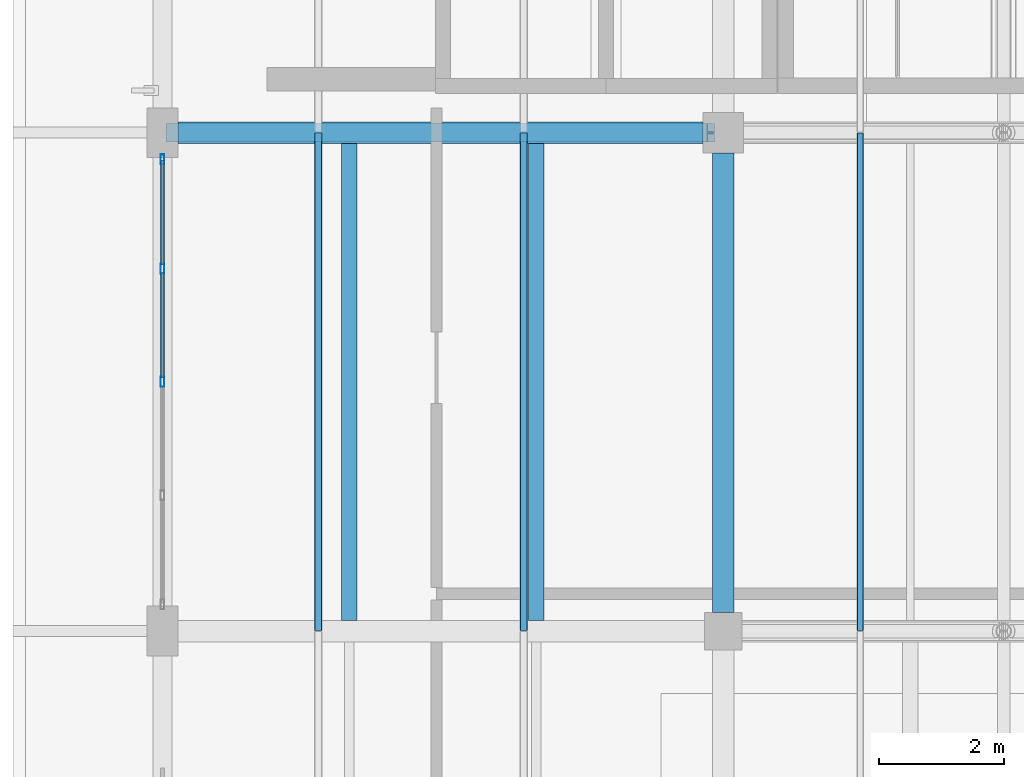
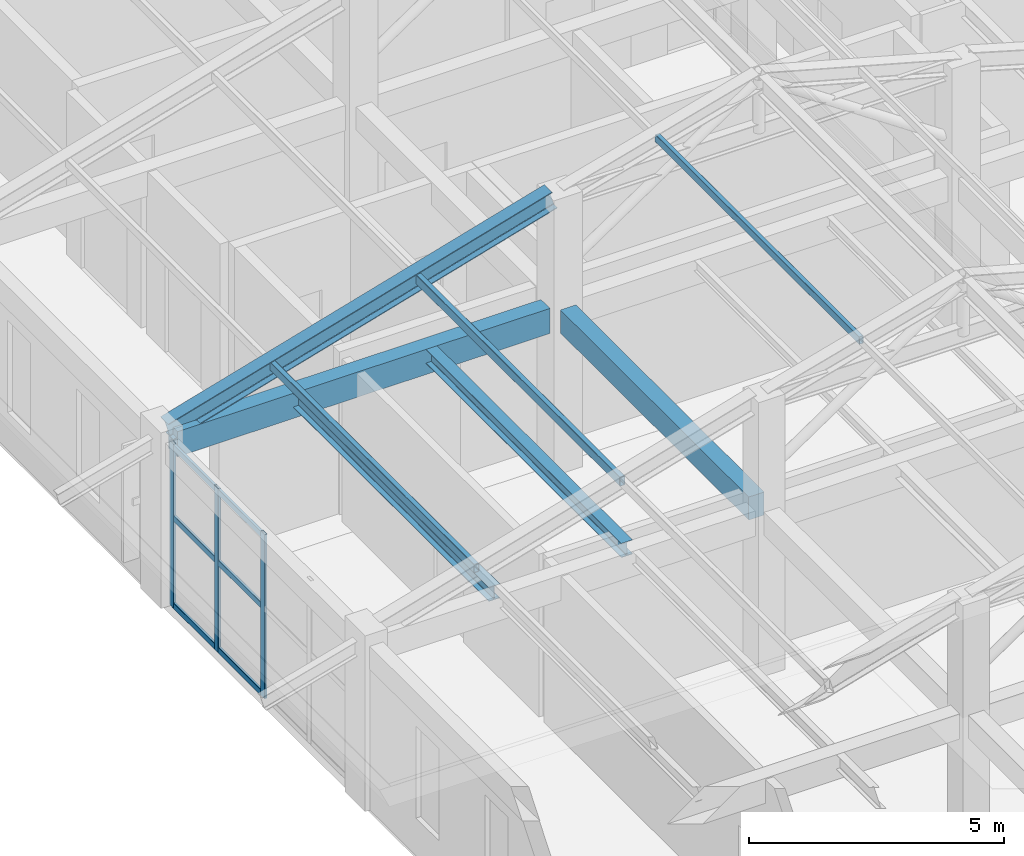
# One storey, part 16 of 58: 12 members, 5 beams, 1 element without a shape of its own.
"""IFC4 building model written with IfcOpenShell, lengths in metres."""

from ifc_helpers import new_model, si_unit, derived_unit, direction, frame, origin, origin_2d, place, context, subcontext, project, spatial, rectangle, hollow_rectangle, i_section, extrude, material, material_profile, profile_set, type_object, element, aggregate, save


model = new_model("IFC4")

# Units and contexts
model_context = context("Model", 3, precision=1e-05, world=origin(), true_north=direction((0.0, 1.0)))
body_context = subcontext(model_context, "Body", "Model", "MODEL_VIEW")
ifc_project = project(units=[si_unit("LENGTHUNIT", "METRE"), si_unit("AREAUNIT", "SQUARE_METRE"), si_unit("VOLUMEUNIT", "CUBIC_METRE"), si_unit("PLANEANGLEUNIT", "RADIAN"), si_unit("MASSUNIT", "GRAM", prefix="KILO"), derived_unit("THERMALTRANSMITTANCEUNIT", [(si_unit("MASSUNIT", "GRAM", prefix="KILO"), 1), (si_unit("TIMEUNIT", "SECOND"), -3), (si_unit("THERMODYNAMICTEMPERATUREUNIT", "KELVIN"), -1)])], contexts=[model_context])

# Site, building, storey
site_placement = place(None, origin())
site = spatial("IfcSite", under=ifc_project, at=site_placement, CompositionType="ELEMENT")
building_placement = place(site_placement, origin())
building = spatial("IfcBuilding", under=site, at=building_placement, Name="Zhenchuan Archway Interchange", CompositionType="ELEMENT")
storey_placement = place(building_placement, frame((0.0, 0.0, 22.800048828125)))
storey = spatial("IfcBuildingStorey", under=building, at=storey_placement, Name="L05", CompositionType="ELEMENT", Elevation=22.800048828125)

# Beams
ifc_material_1 = material(Name="Concrete C40", Category="concrete")
ifc_material_profile_1 = material_profile(ifc_material_1, rectangle(XDim=0.35009765625, YDim=0.550048828125, at=origin_2d()), Name="RC 350x550")
ifc_profile_set_1 = profile_set([ifc_material_profile_1], Name="Concrete C40")
beam_type_1 = type_object("IfcBeamType", Name="BM_RC_350x550", PredefinedType="BEAM", material=ifc_profile_set_1)
beam_1_placement = place(storey_placement, frame((153.0, 40.300048828125, 3.64501953125), z_axis=(0.0, 1.0, 0.0), x_axis=(-1.0, 0.0, 0.0)))
element("IfcBeam", 1, at=beam_1_placement, inside=storey, type_object=beam_type_1, Name="Beam 18:F-G (L05)", PredefinedType="BEAM", context=body_context, shape_type="SweptSolid", body=[
    extrude(rectangle(XDim=0.35009765625, YDim=0.550048828125, at=origin_2d()), origin(), (0.0, 0.0, 1.0), 7.375),
])
ifc_material_profile_2 = material_profile(ifc_material_1, rectangle(XDim=0.35009765625, YDim=0.60009765625, at=origin_2d()), Name="RC 350x600")
ifc_profile_set_2 = profile_set([ifc_material_profile_2], Name="Concrete C40")
beam_type_2 = type_object("IfcBeamType", Name="BM_RC_350x600", PredefinedType="BEAM", material=ifc_profile_set_2)
beam_2_placement = place(storey_placement, frame((144.25, 48.0, 3.619873046875), z_axis=(1.0, 0.0, 0.0), x_axis=(0.0, 1.0, 0.0)))
element("IfcBeam", 2, at=beam_2_placement, inside=storey, type_object=beam_type_2, Name="Beam G:17-18 (L05)", PredefinedType="BEAM", context=body_context, shape_type="SweptSolid", body=[
    extrude(rectangle(XDim=0.35009765625, YDim=0.60009765625, at=origin_2d()), origin(), (0.0, 0.0, 1.0), 8.425048828125),
])
ifc_material_2 = material(Name="Steel Q355", Category="steel")
ifc_material_profile_3 = material_profile(ifc_material_2, i_section(OverallWidth=0.300048828125, OverallDepth=0.43994140625, WebThickness=0.010986328125, FlangeThickness=0.01806640625, FilletRadius=0.02197265625, at=origin_2d()), Name="HM 440x300")
ifc_profile_set_3 = profile_set([ifc_material_profile_3], Name="Steel Q355")
beam_type_3 = type_object("IfcBeamType", Name="BM_STL_HM440", PredefinedType="BEAM", material=ifc_profile_set_3)
beam_3_placement = place(storey_placement, frame((144.1201171875, 48.0, 3.93994140625), z_axis=(0.960641143949, 0.0, 0.277792355102), x_axis=(0.0, 1.0, 0.0)))
element("IfcBeam", 3, at=beam_3_placement, inside=storey, type_object=beam_type_3, Name="ROOF TRUSS command wing T4 west lower rafter", PredefinedType="BEAM", context=body_context, shape_type="SweptSolid", body=[
    extrude(i_section(OverallWidth=0.300048828125, OverallDepth=0.43994140625, WebThickness=0.010986328125, FlangeThickness=0.01806640625, FilletRadius=0.02197265625, at=origin_2d()), origin(), (0.0, 0.0, 1.0), 9.03564453125),
])

# Curtain wall, members
ifc_material_3 = material(Name="Anodised Aluminium", Category="aluminium")
curtain_wall_type = type_object("IfcCurtainWallType", Name="CW_UNIT_3", PredefinedType="NOTDEFINED", material=ifc_material_3)
curtain_wall_placement = place(storey_placement, origin())
curtain_wall = element("IfcCurtainWall", 4, at=curtain_wall_placement, inside=storey, type_object=curtain_wall_type, Name="Unitised curtain wall CW:L05:202", PredefinedType="NOTDEFINED")
ifc_material_profile_4 = material_profile(ifc_material_3, hollow_rectangle(XDim=0.06005859375, YDim=0.159912109375, WallThickness=0.00390625, InnerFilletRadius=0.00390625, OuterFilletRadius=0.008056640625, at=origin_2d()), Name="ALU 160x60x4")
ifc_profile_set_4 = profile_set([ifc_material_profile_4], Name="Anodised Aluminium")
member_type_1 = type_object("IfcMemberType", Name="CW_MUL_150", PredefinedType="MULLION", material=ifc_profile_set_4)
member_1_placement = place(storey_placement, frame((144.0, 44.0, 0.0), z_axis=(0.0, 0.0, 1.0), x_axis=(1.0, 0.0, 0.0)))
member_1 = element("IfcMember", 5, at=member_1_placement, type_object=member_type_1, Name="CW:L05:202 mullion 2", PredefinedType="MULLION", context=body_context, shape_type="SweptSolid", body=[
    extrude(hollow_rectangle(XDim=0.06005859375, YDim=0.159912109375, WallThickness=0.00390625, InnerFilletRadius=0.00390625, OuterFilletRadius=0.008056640625, at=origin_2d()), origin(), (0.0, 0.0, 1.0), 3.919921875),
])
member_2_placement = place(storey_placement, frame((144.0, 45.81591796875, 0.0), z_axis=(0.0, 0.0, 1.0), x_axis=(1.0, 0.0, 0.0)))
member_2 = element("IfcMember", 6, at=member_2_placement, type_object=member_type_1, Name="CW:L05:202 mullion 3", PredefinedType="MULLION", context=body_context, shape_type="SweptSolid", body=[
    extrude(hollow_rectangle(XDim=0.06005859375, YDim=0.159912109375, WallThickness=0.00390625, InnerFilletRadius=0.00390625, OuterFilletRadius=0.008056640625, at=origin_2d()), origin(), (0.0, 0.0, 1.0), 3.919921875),
])
member_3_placement = place(storey_placement, frame((144.0, 47.572021484375, 0.0), z_axis=(0.0, 0.0, 1.0), x_axis=(1.0, 0.0, 0.0)))
member_3 = element("IfcMember", 7, at=member_3_placement, type_object=member_type_1, Name="CW:L05:202 mullion 4", PredefinedType="MULLION", context=body_context, shape_type="SweptSolid", body=[
    extrude(hollow_rectangle(XDim=0.06005859375, YDim=0.159912109375, WallThickness=0.00390625, InnerFilletRadius=0.00390625, OuterFilletRadius=0.008056640625, at=origin_2d()), origin(), (0.0, 0.0, 1.0), 3.919921875),
])
ifc_material_profile_5 = material_profile(ifc_material_3, hollow_rectangle(XDim=0.06005859375, YDim=0.139892578125, WallThickness=0.00341796875, InnerFilletRadius=0.00341796875, OuterFilletRadius=0.007080078125, at=origin_2d()), Name="ALU 140x60x3.5")
ifc_profile_set_5 = profile_set([ifc_material_profile_5], Name="Anodised Aluminium")
member_type_2 = type_object("IfcMemberType", Name="CW_TRN_140", PredefinedType="USERDEFINED", material=ifc_profile_set_5)
member_4_placement = place(storey_placement, frame((144.0, 44.06005859375, 0.06005859375), z_axis=(0.0, 1.0, 0.0), x_axis=(-1.0, 0.0, 0.0)))
member_4 = element("IfcMember", 8, at=member_4_placement, type_object=member_type_2, Name="CW:L05:202 transom 2-1", ObjectType="TRANSOM", PredefinedType="USERDEFINED", context=body_context, shape_type="SweptSolid", body=[
    extrude(hollow_rectangle(XDim=0.06005859375, YDim=0.139892578125, WallThickness=0.00341796875, InnerFilletRadius=0.00341796875, OuterFilletRadius=0.007080078125, at=origin_2d()), origin(), (0.0, 0.0, 1.0), 1.696044921875),
])
member_5_placement = place(storey_placement, frame((144.0, 44.06005859375, 2.14501953125), z_axis=(0.0, 1.0, 0.0), x_axis=(-1.0, 0.0, 0.0)))
member_5 = element("IfcMember", 9, at=member_5_placement, type_object=member_type_2, Name="CW:L05:202 transom 2-2", ObjectType="TRANSOM", PredefinedType="USERDEFINED", context=body_context, shape_type="SweptSolid", body=[
    extrude(hollow_rectangle(XDim=0.06005859375, YDim=0.139892578125, WallThickness=0.00341796875, InnerFilletRadius=0.00341796875, OuterFilletRadius=0.007080078125, at=origin_2d()), origin(), (0.0, 0.0, 1.0), 1.696044921875),
])
member_6_placement = place(storey_placement, frame((144.0, 44.06005859375, 3.83984375), z_axis=(0.0, 1.0, 0.0), x_axis=(-1.0, 0.0, 0.0)))
member_6 = element("IfcMember", 10, at=member_6_placement, type_object=member_type_2, Name="CW:L05:202 transom 2-3", ObjectType="TRANSOM", PredefinedType="USERDEFINED", context=body_context, shape_type="SweptSolid", body=[
    extrude(hollow_rectangle(XDim=0.06005859375, YDim=0.139892578125, WallThickness=0.00341796875, InnerFilletRadius=0.00341796875, OuterFilletRadius=0.007080078125, at=origin_2d()), origin(), (0.0, 0.0, 1.0), 1.696044921875),
])
member_7_placement = place(storey_placement, frame((144.0, 45.8759765625, 0.06005859375), z_axis=(0.0, 1.0, 0.0), x_axis=(-1.0, 0.0, 0.0)))
member_7 = element("IfcMember", 11, at=member_7_placement, type_object=member_type_2, Name="CW:L05:202 transom 3-1", ObjectType="TRANSOM", PredefinedType="USERDEFINED", context=body_context, shape_type="SweptSolid", body=[
    extrude(hollow_rectangle(XDim=0.06005859375, YDim=0.139892578125, WallThickness=0.00341796875, InnerFilletRadius=0.00341796875, OuterFilletRadius=0.007080078125, at=origin_2d()), origin(), (0.0, 0.0, 1.0), 1.676025390625),
])
member_8_placement = place(storey_placement, frame((144.0, 45.8759765625, 2.14501953125), z_axis=(0.0, 1.0, 0.0), x_axis=(-1.0, 0.0, 0.0)))
member_8 = element("IfcMember", 12, at=member_8_placement, type_object=member_type_2, Name="CW:L05:202 transom 3-2", ObjectType="TRANSOM", PredefinedType="USERDEFINED", context=body_context, shape_type="SweptSolid", body=[
    extrude(hollow_rectangle(XDim=0.06005859375, YDim=0.139892578125, WallThickness=0.00341796875, InnerFilletRadius=0.00341796875, OuterFilletRadius=0.007080078125, at=origin_2d()), origin(), (0.0, 0.0, 1.0), 1.676025390625),
])
member_9_placement = place(storey_placement, frame((144.0, 45.8759765625, 3.83984375), z_axis=(0.0, 1.0, 0.0), x_axis=(-1.0, 0.0, 0.0)))
member_9 = element("IfcMember", 13, at=member_9_placement, type_object=member_type_2, Name="CW:L05:202 transom 3-3", ObjectType="TRANSOM", PredefinedType="USERDEFINED", context=body_context, shape_type="SweptSolid", body=[
    extrude(hollow_rectangle(XDim=0.06005859375, YDim=0.139892578125, WallThickness=0.00341796875, InnerFilletRadius=0.00341796875, OuterFilletRadius=0.007080078125, at=origin_2d()), origin(), (0.0, 0.0, 1.0), 1.676025390625),
])
aggregate(curtain_wall, [member_1, member_2, member_3, member_4, member_5, member_6, member_7, member_8, member_9])

# Beams
ifc_material_profile_6 = material_profile(ifc_material_2, i_section(OverallWidth=0.25, OverallDepth=0.340087890625, WebThickness=0.009033203125, FlangeThickness=0.013916015625, FilletRadius=0.01806640625, at=origin_2d()), Name="HM 340x250")
ifc_profile_set_6 = profile_set([ifc_material_profile_6], Name="Steel Q355")
beam_type_4 = type_object("IfcBeamType", Name="JST_STL_HM340", PredefinedType="JOIST", material=ifc_profile_set_6)
for number, where, z_axis, x_axis, name in (
    (14, (147.0, 40.175048828125, 3.75), (0.0, 1.0, 0.0), (-1.0, 0.0, 0.0), "Secondary joist 17-18/F-G #1 (L05)"),
    (15, (150.0, 40.175048828125, 3.75), (0.0, 1.0, 0.0), (-1.0, 0.0, 0.0), "Secondary joist 17-18/F-G #2 (L05)"),
):
    element("IfcBeam", number, at=place(storey_placement, frame(where, z_axis=z_axis, x_axis=x_axis)), inside=storey, type_object=beam_type_4, Name=name, PredefinedType="JOIST", context=body_context, shape_type="SweptSolid", body=[
        extrude(i_section(OverallWidth=0.25, OverallDepth=0.340087890625, WebThickness=0.009033203125, FlangeThickness=0.013916015625, FilletRadius=0.01806640625, at=origin_2d()), origin(), (0.0, 0.0, 1.0), 7.64990234375),
    ])

# Members
ifc_material_profile_7 = material_profile(ifc_material_2, hollow_rectangle(XDim=0.10009765625, YDim=0.179931640625, WallThickness=0.006103515625, InnerFilletRadius=0.006103515625, OuterFilletRadius=0.011962890625, at=origin_2d()), Name="RHS 180x100x6")
ifc_profile_set_7 = profile_set([ifc_material_profile_7], Name="Steel Q355")
member_type_3 = type_object("IfcMemberType", Name="MB_RHS180", PredefinedType="PURLIN", material=ifc_profile_set_7)
member_10_placement = place(storey_placement, frame((155.199951171875, 40.008056640625, 7.02001953125), z_axis=(0.0, 1.0, 0.0), x_axis=(-1.0, 0.0, 0.0)))
element("IfcMember", 16, at=member_10_placement, inside=storey, type_object=member_type_3, Name="Command wing roof purlin B3-P3", PredefinedType="PURLIN", context=body_context, shape_type="SweptSolid", body=[
    extrude(hollow_rectangle(XDim=0.10009765625, YDim=0.179931640625, WallThickness=0.006103515625, InnerFilletRadius=0.006103515625, OuterFilletRadius=0.011962890625, at=origin_2d()), origin(), (0.0, 0.0, 1.0), 7.98388671875),
])
ifc_material_profile_8 = material_profile(ifc_material_2, hollow_rectangle(XDim=0.1201171875, YDim=0.199951171875, WallThickness=0.008056640625, InnerFilletRadius=0.008056640625, OuterFilletRadius=0.01611328125, at=origin_2d()), Name="RHS 200x120x8")
ifc_profile_set_8 = profile_set([ifc_material_profile_8], Name="Steel Q355")
member_type_4 = type_object("IfcMemberType", Name="MB_RHS200", PredefinedType="PURLIN", material=ifc_profile_set_8)
member_11_placement = place(storey_placement, frame((146.5, 40.008056640625, 4.619873046875), z_axis=(0.0, 1.0, 0.0), x_axis=(-1.0, 0.0, 0.0)))
element("IfcMember", 17, at=member_11_placement, inside=storey, type_object=member_type_4, Name="Command wing roof purlin B3-P1", PredefinedType="PURLIN", context=body_context, shape_type="SweptSolid", body=[
    extrude(hollow_rectangle(XDim=0.1201171875, YDim=0.199951171875, WallThickness=0.008056640625, InnerFilletRadius=0.008056640625, OuterFilletRadius=0.01611328125, at=origin_2d()), origin(), (0.0, 0.0, 1.0), 7.98388671875),
])
ifc_material_profile_9 = material_profile(ifc_material_2, hollow_rectangle(XDim=0.1201171875, YDim=0.219970703125, WallThickness=0.008056640625, InnerFilletRadius=0.008056640625, OuterFilletRadius=0.01611328125, at=origin_2d()), Name="RHS 220x120x8")
ifc_profile_set_9 = profile_set([ifc_material_profile_9], Name="Steel Q355")
member_type_5 = type_object("IfcMemberType", Name="MB_RHS220", PredefinedType="PURLIN", material=ifc_profile_set_9)
member_12_placement = place(storey_placement, frame((149.800048828125, 40.008056640625, 5.5400390625), z_axis=(0.0, 1.0, 0.0), x_axis=(-1.0, 0.0, 0.0)))
element("IfcMember", 18, at=member_12_placement, inside=storey, type_object=member_type_5, Name="Command wing roof purlin B3-P2", PredefinedType="PURLIN", context=body_context, shape_type="SweptSolid", body=[
    extrude(hollow_rectangle(XDim=0.1201171875, YDim=0.219970703125, WallThickness=0.008056640625, InnerFilletRadius=0.008056640625, OuterFilletRadius=0.01611328125, at=origin_2d()), origin(), (0.0, 0.0, 1.0), 7.98388671875),
])

save(model, "model.ifc")
